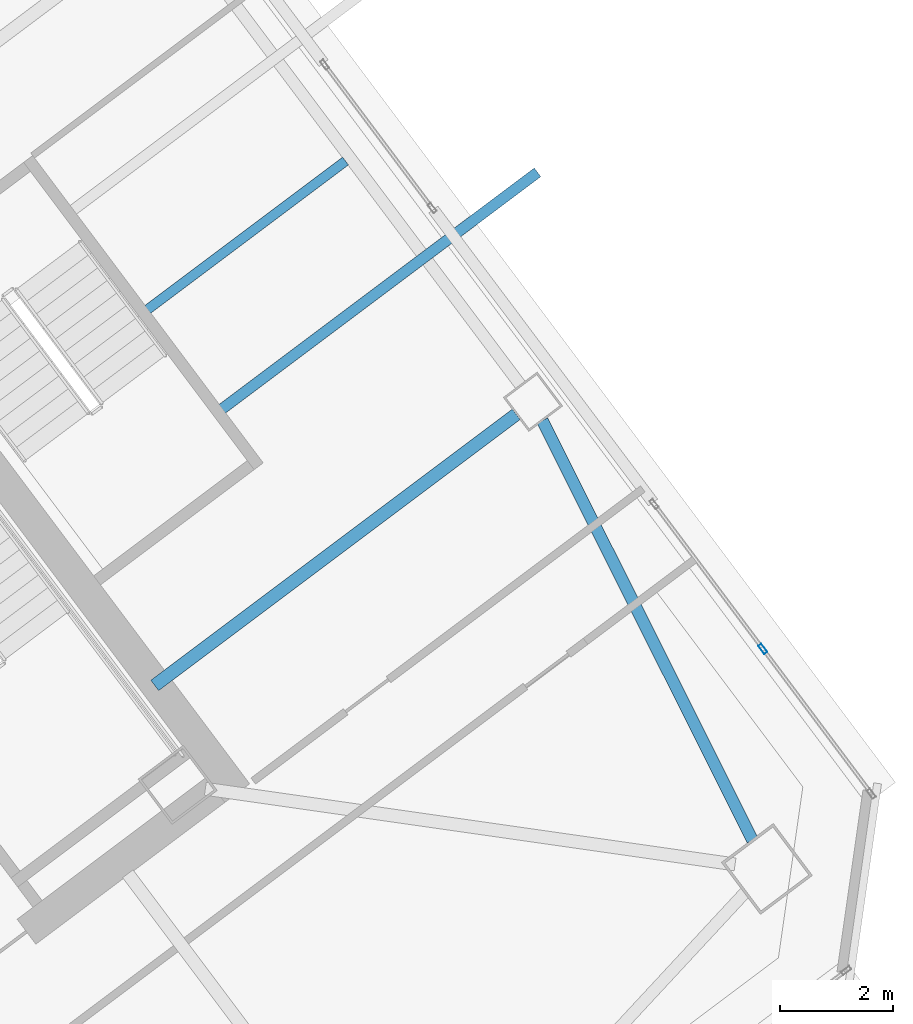
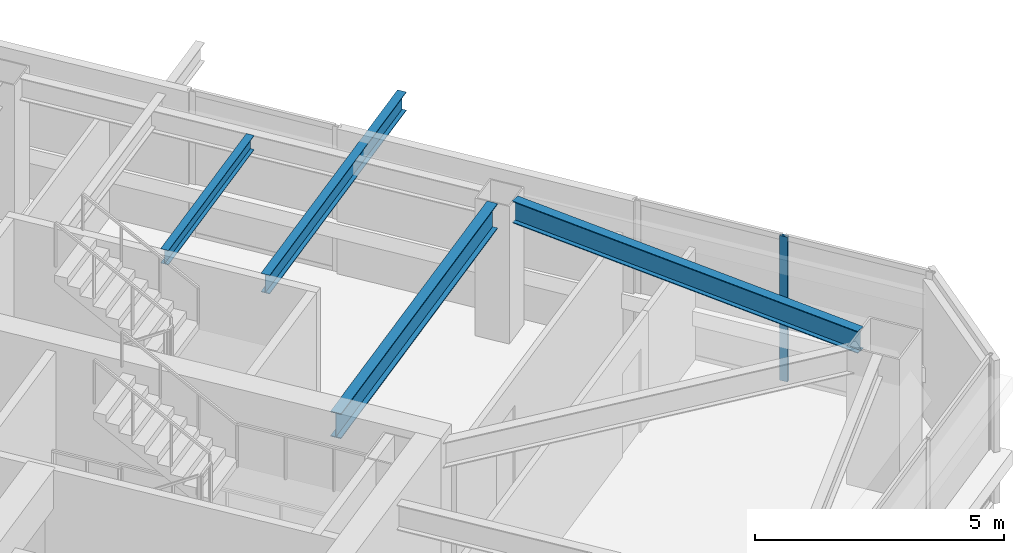
# One storey, part 27 of 44: 4 beams, 1 member, 1 element without a shape of its own.
"""IFC4 building model written with IfcOpenShell, lengths in metres."""

from ifc_helpers import new_model, si_unit, direction, frame, origin, origin_2d, place, context, subcontext, project, spatial, hollow_rectangle, i_section, extrude, material, material_profile, profile_set, type_object, element, aggregate, save


model = new_model("IFC4")

# Units and contexts
model_context = context("Model", 3, precision=1e-05, world=origin(), true_north=direction((0.0, 1.0)))
body_context = subcontext(model_context, "Body", "Model", "MODEL_VIEW")
ifc_project = project(units=[si_unit("LENGTHUNIT", "METRE"), si_unit("AREAUNIT", "SQUARE_METRE"), si_unit("VOLUMEUNIT", "CUBIC_METRE"), si_unit("PLANEANGLEUNIT", "RADIAN"), si_unit("MASSUNIT", "GRAM", prefix="KILO")], contexts=[model_context])

# Site, building, storey
site_placement = place(None, origin())
site = spatial("IfcSite", under=ifc_project, at=site_placement, CompositionType="ELEMENT")
building_placement = place(site_placement, origin())
building = spatial("IfcBuilding", under=site, at=building_placement, Name="Tashvorn Skyway Center", CompositionType="ELEMENT")
storey_placement = place(building_placement, frame((0.0, 0.0, 181.85009765625)))
storey = spatial("IfcBuildingStorey", under=building, at=storey_placement, Name="L49", CompositionType="ELEMENT", Elevation=181.85009765625)

# Beams
ifc_material_1 = material(Name="Steel ASTM A992 Grade 50", Category="steel")
ifc_material_profile_1 = material_profile(ifc_material_1, i_section(OverallWidth=0.22998046875, OverallDepth=0.616943359375, WebThickness=0.01318359375, FlangeThickness=0.022216796875, at=origin_2d()), Name="W24X94")
ifc_profile_set_1 = profile_set([ifc_material_profile_1], Name="Steel ASTM A992 Grade 50")
beam_type_1 = type_object("IfcBeamType", Name="BM-BEAM-W24X94", PredefinedType="BEAM", material=ifc_profile_set_1)
beam_1_placement = place(storey_placement, frame((129.864013671875, 37.14794921875, 3.0615234375), z_axis=(-0.799992675677, -0.60000976564, 0.0), x_axis=(0.60000976564, -0.799992675677, 0.0)))
element("IfcBeam", 1, at=beam_1_placement, inside=storey, type_object=beam_type_1, Name="Tower 2 L49 Primary Floor Girder FC-E1", PredefinedType="BEAM", context=body_context, shape_type="SweptSolid", body=[
    extrude(i_section(OverallWidth=0.22998046875, OverallDepth=0.616943359375, WebThickness=0.01318359375, FlangeThickness=0.022216796875, at=origin_2d()), origin(), (0.0, 0.0, 1.0), 8.0),
])
ifc_material_profile_2 = material_profile(ifc_material_1, i_section(OverallWidth=0.1708984375, OverallDepth=0.35498046875, WebThickness=0.007080078125, FlangeThickness=0.01171875, at=origin_2d()), Name="W14X34")
ifc_profile_set_2 = profile_set([ifc_material_profile_2], Name="Steel ASTM A992 Grade 50")
beam_type_2 = type_object("IfcBeamType", Name="BM-JOIST-W14X34", PredefinedType="JOIST", material=ifc_profile_set_2)
beam_2_placement = place(storey_placement, frame((123.3359375, 39.001953125, 3.1923828125), z_axis=(0.799993315235, 0.600008912917, 0.0), x_axis=(-0.600008912917, 0.799993315235, 0.0)))
element("IfcBeam", 2, at=beam_2_placement, inside=storey, type_object=beam_type_2, Name="Tower 2 L49 Secondary Composite Joist JE", PredefinedType="JOIST", context=body_context, shape_type="SweptSolid", body=[
    extrude(i_section(OverallWidth=0.1708984375, OverallDepth=0.35498046875, WebThickness=0.007080078125, FlangeThickness=0.01171875, at=origin_2d()), origin(), (0.0, 0.0, 1.0), 4.382568359375),
])
ifc_material_profile_3 = material_profile(ifc_material_1, i_section(OverallWidth=0.19091796875, OverallDepth=0.4599609375, WebThickness=0.010009765625, FlangeThickness=0.01611328125, at=origin_2d()), Name="W18X55")
ifc_profile_set_3 = profile_set([ifc_material_profile_3], Name="Steel ASTM A992 Grade 50")
beam_type_3 = type_object("IfcBeamType", Name="BM-JOIST-W18X55", PredefinedType="JOIST", material=ifc_profile_set_3)
beam_3_placement = place(storey_placement, frame((124.656005859375, 37.241943359375, 3.139892578125), z_axis=(0.8, 0.6, 0.0), x_axis=(-0.6, 0.8, 0.0)))
element("IfcBeam", 3, at=beam_3_placement, inside=storey, type_object=beam_type_3, Name="Tower 2 L50 Terrace Cantilever Outlooker 1", PredefinedType="JOIST", context=body_context, shape_type="SweptSolid", body=[
    extrude(i_section(OverallWidth=0.19091796875, OverallDepth=0.4599609375, WebThickness=0.010009765625, FlangeThickness=0.01611328125, at=origin_2d()), origin(), (0.0, 0.0, 1.0), 6.97998046875),
])
ifc_material_profile_4 = material_profile(ifc_material_1, i_section(OverallWidth=0.2109375, OverallDepth=0.5390625, WebThickness=0.01171875, FlangeThickness=0.018798828125, at=origin_2d()), Name="W21X73")
ifc_profile_set_4 = profile_set([ifc_material_profile_4], Name="Steel ASTM A992 Grade 50")
beam_type_4 = type_object("IfcBeamType", Name="BM-SPANDREL-W21X73", PredefinedType="SPANDREL", material=ifc_profile_set_4)
beam_4_placement = place(storey_placement, frame((134.044921875, 29.609619140625, 3.100341796875), z_axis=(-0.447648438059, 0.894209637559, 0.0), x_axis=(-0.894209637559, -0.447648438059, 0.0)))
element("IfcBeam", 4, at=beam_4_placement, inside=storey, type_object=beam_type_4, Name="Tower 2 L49 Spandrel Beam 04", PredefinedType="SPANDREL", context=body_context, shape_type="SweptSolid", body=[
    extrude(i_section(OverallWidth=0.2109375, OverallDepth=0.5390625, WebThickness=0.01171875, FlangeThickness=0.018798828125, at=origin_2d()), origin(), (0.0, 0.0, 1.0), 8.308349609375),
])

# Curtain wall, member
ifc_material_2 = material(Name="Thermally broken bronze-anodized aluminium 6063-T6", Category="aluminium")
curtain_wall_type = type_object("IfcCurtainWallType", Name="CW-CW-Z4", PredefinedType="NOTDEFINED", material=ifc_material_2)
curtain_wall_placement = place(storey_placement, origin())
curtain_wall = element("IfcCurtainWall", 5, at=curtain_wall_placement, inside=storey, type_object=curtain_wall_type, Name="Tower 2 L49 East Unitised Curtain Wall Glazing Group 3", PredefinedType="NOTDEFINED")
ifc_material_profile_5 = material_profile(ifc_material_2, hollow_rectangle(XDim=0.070068359375, YDim=0.179931640625, WallThickness=0.00390625, at=origin_2d()), Name="ALU-MULL-70x180")
ifc_profile_set_5 = profile_set([ifc_material_profile_5], Name="Thermally broken bronze-anodized aluminium 6063-T6")
member_type = type_object("IfcMemberType", Name="CWM-CW-Z4", PredefinedType="MULLION", material=ifc_profile_set_5)
member_placement = place(storey_placement, frame((134.22802734375, 32.99609375, 0.0), z_axis=(0.0, 0.0, 1.0), x_axis=(0.799999999998, 0.600000000002, 0.0)))
member = element("IfcMember", 6, at=member_placement, type_object=member_type, Name="CW-Z4 mullion 2", PredefinedType="MULLION", context=body_context, shape_type="SweptSolid", body=[
    extrude(hollow_rectangle(XDim=0.070068359375, YDim=0.179931640625, WallThickness=0.00390625, at=origin_2d()), origin(), (0.0, 0.0, 1.0), 3.5498046875),
])
aggregate(curtain_wall, [member])

save(model, "model.ifc")
